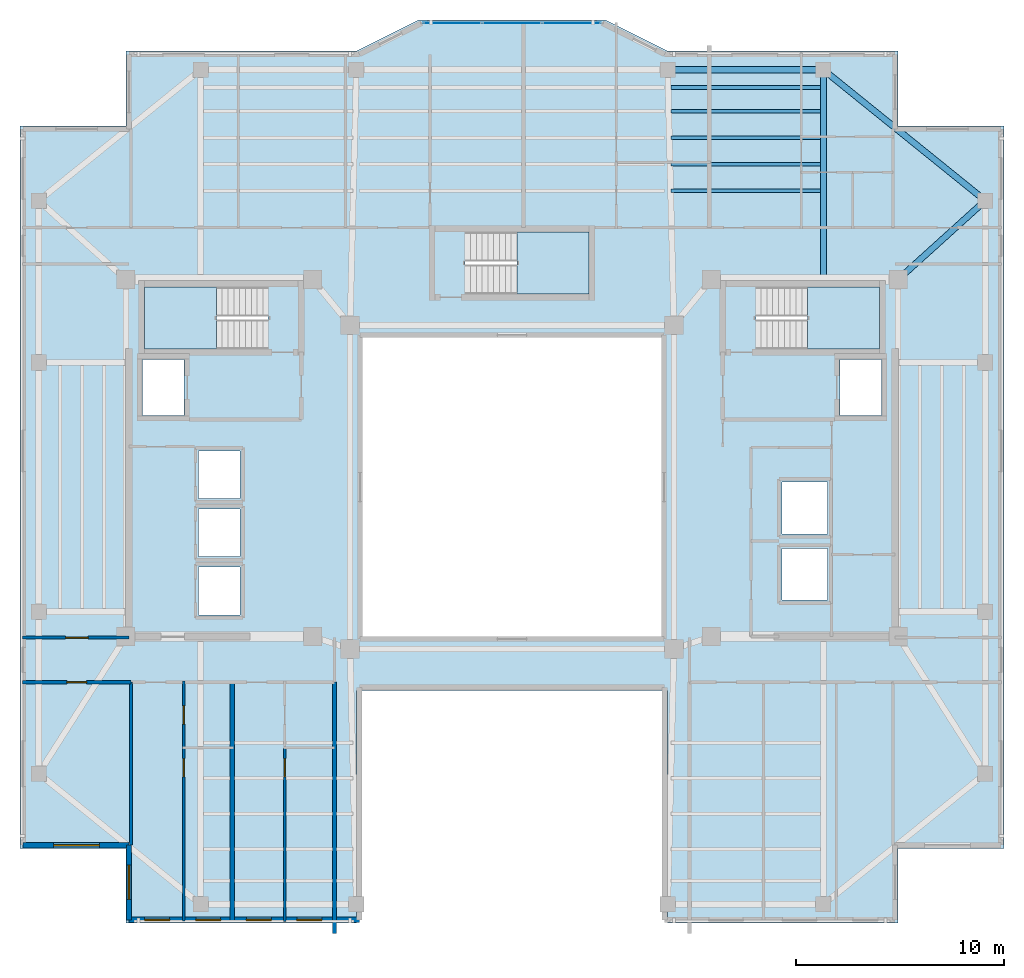
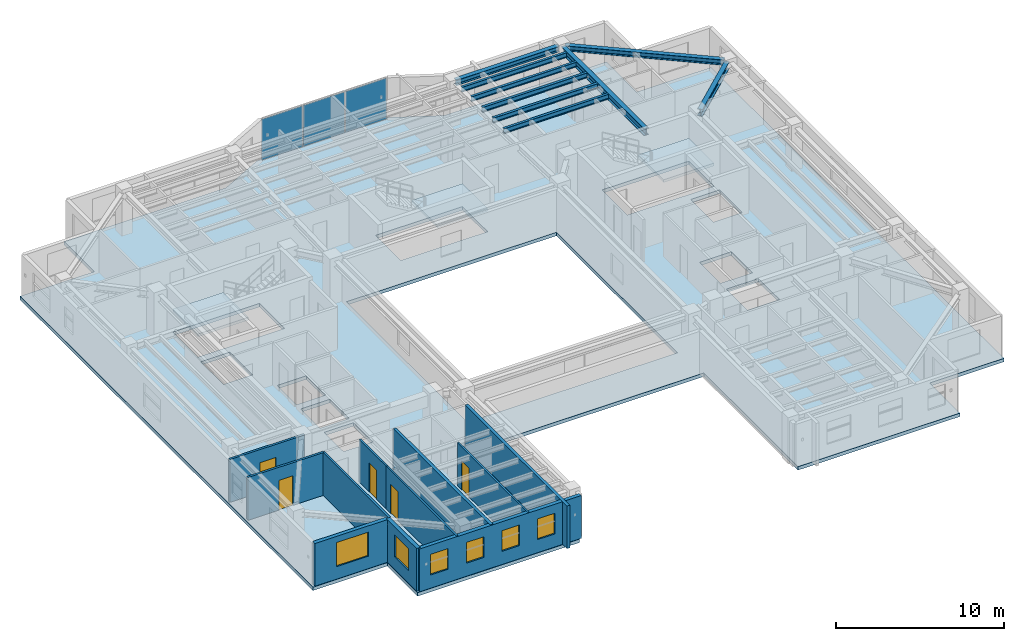
# One storey, part 3 of 11: 11 walls, 9 beams, 6 windows, 5 doors, 4 slabs, 3 plates, 11 openings, 4 elements without a shape of their own.
"""IFC4 building model written with IfcOpenShell, lengths in metres."""

from ifc_helpers import new_model, si_unit, direction, frame, frame_2d, origin, origin_2d, place, context, subcontext, project, spatial, polyline, rectangle, i_section, outline, extrude, material, layer, layer_set, material_profile, profile_set, type_object, element, fill, aggregate, save


model = new_model("IFC4")

# Units and contexts
model_context = context("Model", 3, precision=1e-05, world=origin(), true_north=direction((0.0, 1.0)))
body_context = subcontext(model_context, "Body", "Model", "MODEL_VIEW")
ifc_project = project(units=[si_unit("LENGTHUNIT", "METRE"), si_unit("AREAUNIT", "SQUARE_METRE"), si_unit("VOLUMEUNIT", "CUBIC_METRE"), si_unit("PLANEANGLEUNIT", "RADIAN"), si_unit("MASSUNIT", "GRAM", prefix="KILO")], contexts=[model_context])

# Site, building, storey
site_placement = place(None, origin())
site = spatial("IfcSite", under=ifc_project, at=site_placement, CompositionType="ELEMENT")
building_placement = place(site_placement, origin())
building = spatial("IfcBuilding", under=site, at=building_placement, Name="Tarnavaz Court Tower", CompositionType="ELEMENT")
storey_placement = place(building_placement, frame((0.0, 0.0, 217.050048828125)))
storey = spatial("IfcBuildingStorey", under=building, at=storey_placement, Name="L59", CompositionType="ELEMENT", Elevation=217.050048828125)

# Beams
ifc_material_1 = material(Name="Steel S355", Category="steel")
ifc_material_profile_1 = material_profile(ifc_material_1, i_section(OverallWidth=0.300048828125, OverallDepth=0.5, WebThickness=0.014404296875, FlangeThickness=0.028076171875, FilletRadius=0.027099609375, at=origin_2d()), Name="HEB 500")
ifc_profile_set_1 = profile_set([ifc_material_profile_1], Name="Steel S355")
beam_type_1 = type_object("IfcBeamType", Name="BM-G-HEB500", PredefinedType="USERDEFINED", material=ifc_profile_set_1)
beam_1_placement = place(storey_placement, frame((15.0, 10.0400390625, 2.849853515625), z_axis=(0.0, 1.0, 0.0), x_axis=(-1.0, 0.0, 0.0)))
element("IfcBeam", 1, at=beam_1_placement, inside=storey, type_object=beam_type_1, Name="L59 Beam RG-04", ObjectType="GIRDER", PredefinedType="USERDEFINED", context=body_context, shape_type="SweptSolid", body=[
    extrude(i_section(OverallWidth=0.300048828125, OverallDepth=0.5, WebThickness=0.014404296875, FlangeThickness=0.028076171875, FilletRadius=0.027099609375, at=origin_2d()), origin(), (0.0, 0.0, 1.0), 9.83984375),
])
beam_2_placement = place(storey_placement, frame((18.76318359375, 10.147705078125, 2.849853515625), z_axis=(0.741555708494, 0.670891296113, 0.0), x_axis=(-0.670891296113, 0.741555708494, 0.0)))
element("IfcBeam", 2, at=beam_2_placement, inside=storey, type_object=beam_type_1, Name="L59 Beam RG-12", ObjectType="GIRDER", PredefinedType="USERDEFINED", context=body_context, shape_type="SweptSolid", body=[
    extrude(i_section(OverallWidth=0.300048828125, OverallDepth=0.5, WebThickness=0.014404296875, FlangeThickness=0.028076171875, FilletRadius=0.027099609375, at=origin_2d()), origin(), (0.0, 0.0, 1.0), 5.223876953125),
])
ifc_material_profile_2 = material_profile(ifc_material_1, i_section(OverallWidth=0.169921875, OverallDepth=0.360107421875, WebThickness=0.008056640625, FlangeThickness=0.0126953125, FilletRadius=0.01806640625, at=origin_2d()), Name="IPE 360")
ifc_profile_set_2 = profile_set([ifc_material_profile_2], Name="Steel S355")
beam_type_2 = type_object("IfcBeamType", Name="BM-J-IPE360", PredefinedType="JOIST", material=ifc_profile_set_2)
for number, where, z_axis, x_axis, name in (
    (3, (7.64990234375, 14.278076171875, 2.919921875), (1.0, 0.0, 0.0), (0.0, 1.0, 0.0), "L59 Beam JN1-3"),
    (4, (7.64990234375, 15.555908203125, 2.919921875), (1.0, 0.0, 0.0), (0.0, 1.0, 0.0), "L59 Beam JN2-3"),
    (5, (7.64990234375, 16.833984375, 2.919921875), (1.0, 0.0, 0.0), (0.0, 1.0, 0.0), "L59 Beam JN3-3"),
    (6, (7.64990234375, 18.112060546875, 2.919921875), (1.0, 0.0, 0.0), (0.0, 1.0, 0.0), "L59 Beam JN4-3"),
    (7, (7.64990234375, 19.248046875, 2.919921875), (1.0, 0.0, 0.0), (0.0, 1.0, 0.0), "L59 Beam JN5-3"),
):
    element("IfcBeam", number, at=place(storey_placement, frame(where, z_axis=z_axis, x_axis=x_axis)), inside=storey, type_object=beam_type_2, Name=name, PredefinedType="JOIST", context=body_context, shape_type="SweptSolid", body=[
        extrude(i_section(OverallWidth=0.169921875, OverallDepth=0.360107421875, WebThickness=0.008056640625, FlangeThickness=0.0126953125, FilletRadius=0.01806640625, at=origin_2d()), origin(), (0.0, 0.0, 1.0), 7.2001953125),
    ])
ifc_material_profile_3 = material_profile(ifc_material_1, i_section(OverallWidth=0.300048828125, OverallDepth=0.389892578125, WebThickness=0.010986328125, FlangeThickness=0.01904296875, FilletRadius=0.027099609375, at=origin_2d()), Name="HEA 400")
ifc_profile_set_3 = profile_set([ifc_material_profile_3], Name="Steel S355")
beam_type_3 = type_object("IfcBeamType", Name="BM-SP-HEA400", PredefinedType="BEAM", material=ifc_profile_set_3)
beam_3_placement = place(storey_placement, frame((7.719970703125, 20.10009765625, 2.905029296875), z_axis=(1.0, 0.0, 0.0), x_axis=(0.0, 1.0, 0.0)))
element("IfcBeam", 8, at=beam_3_placement, inside=storey, type_object=beam_type_3, Name="L59 Beam PR-PN-3-PN-4", PredefinedType="BEAM", context=body_context, shape_type="SweptSolid", body=[
    extrude(i_section(OverallWidth=0.300048828125, OverallDepth=0.389892578125, WebThickness=0.010986328125, FlangeThickness=0.01904296875, FilletRadius=0.027099609375, at=origin_2d()), origin(), (0.0, 0.0, 1.0), 7.06005859375),
])
beam_4_placement = place(storey_placement, frame((15.171142578125, 19.9619140625, 2.905029296875), z_axis=(0.777935913531, -0.628343627674, 0.0), x_axis=(0.628343627674, 0.777935913531, 0.0)))
element("IfcBeam", 9, at=beam_4_placement, inside=storey, type_object=beam_type_3, Name="L59 Beam PR-PN-4-PE-4", PredefinedType="BEAM", context=body_context, shape_type="SweptSolid", body=[
    extrude(i_section(OverallWidth=0.300048828125, OverallDepth=0.389892578125, WebThickness=0.010986328125, FlangeThickness=0.01904296875, FilletRadius=0.027099609375, at=origin_2d()), origin(), (0.0, 0.0, 1.0), 9.586669921875),
])

# Curtain wall, plates
ifc_material_2 = material(Name="Anodised Aluminium 6063-T6 and Solar Low-E Glazing", Category="aluminium")
ifc_layer_1 = layer(ifc_material_2, 0.159912109375)
ifc_layer_set_1 = layer_set([ifc_layer_1], Name="Anodised Aluminium 6063-T6 and Solar Low-E Glazing")
curtain_wall_type = type_object("IfcCurtainWallType", Name="CW-SYS-03", PredefinedType="NOTDEFINED", material=ifc_layer_set_1)
curtain_wall_placement = place(storey_placement, origin())
curtain_wall = element("IfcCurtainWall", 10, at=curtain_wall_placement, inside=storey, type_object=curtain_wall_type, Name="L59 Iwan Prow Curtain Wall 7", PredefinedType="NOTDEFINED")
ifc_material_3 = material(Name="Double-Glazed Solar Low-E Glass", Category="glass")
ifc_layer_2 = layer(ifc_material_3, 0.028076171875)
ifc_layer_set_2 = layer_set([ifc_layer_2], Name="Double-Glazed Solar Low-E Glass")
plate_type = type_object("IfcPlateType", Name="CW-PAN-GLZ28", PredefinedType="CURTAIN_PANEL", material=ifc_layer_set_2)
plate_1_placement = place(storey_placement, frame((-2.88134765625, 22.35009765625, 0.06494140625), z_axis=(0.0, 0.0, 1.0), x_axis=(1.0, 0.0, 0.0)))
plate_1 = element("IfcPlate", 11, at=plate_1_placement, type_object=plate_type, Name="CW panel 1.1", PredefinedType="CURTAIN_PANEL", context=body_context, shape_type="SweptSolid", body=[
    extrude(rectangle(XDim=2.78759765625, YDim=0.028076171875, at=origin_2d()), origin(), (0.0, 0.0, 1.0), 2.969970703125),
])
plate_2_placement = place(storey_placement, frame((0.0, 22.35009765625, 0.06494140625), z_axis=(0.0, 0.0, 1.0), x_axis=(1.0, 0.0, 0.0)))
plate_2 = element("IfcPlate", 12, at=plate_2_placement, type_object=plate_type, Name="CW panel 2.1", PredefinedType="CURTAIN_PANEL", context=body_context, shape_type="SweptSolid", body=[
    extrude(rectangle(XDim=2.824951171875, YDim=0.028076171875, at=origin_2d()), origin(), (0.0, 0.0, 1.0), 2.969970703125),
])
plate_3_placement = place(storey_placement, frame((2.88134765625, 22.35009765625, 0.06494140625), z_axis=(0.0, 0.0, 1.0), x_axis=(1.0, 0.0, 0.0)))
plate_3 = element("IfcPlate", 13, at=plate_3_placement, type_object=plate_type, Name="CW panel 3.1", PredefinedType="CURTAIN_PANEL", context=body_context, shape_type="SweptSolid", body=[
    extrude(rectangle(XDim=2.78759765625, YDim=0.028076171875, at=origin_2d()), origin(), (0.0, 0.0, 1.0), 2.969970703125),
])
aggregate(curtain_wall, [plate_1, plate_2, plate_3])

# Stair, slab
ifc_material_4 = material(Name="Concrete C40/50", Category="concrete")
stair_type = type_object("IfcStairType", Name="ST-TWR-20R", PredefinedType="HALF_TURN_STAIR", material=ifc_material_4)
stair_1_placement = place(storey_placement, origin())
stair_1 = element("IfcStair", 14, at=stair_1_placement, inside=storey, type_object=stair_type, Name="L59 West Core Pressurized Exit Stair ST-W1", PredefinedType="HALF_TURN_STAIR")
ifc_layer_3 = layer(ifc_material_4, 0.199951171875)
ifc_layer_set_3 = layer_set([ifc_layer_3], Name="Concrete C40/50")
slab_type_1 = type_object("IfcSlabType", Name="SL-LAND-200", PredefinedType="LANDING", material=ifc_layer_set_3)
slab_1_placement = place(storey_placement, frame((0.0, 0.0, 1.474853515625)))
slab_1 = element("IfcSlab", 15, at=slab_1_placement, type_object=slab_type_1, Name="ST-W1 landing 1", PredefinedType="LANDING", context=body_context, shape_type="SweptSolid", body=[
    extrude(outline(polyline([(-14.239990234375, 9.639892578125), (-17.699951171875, 9.639892578125), (-17.699951171875, 6.64990234375), (-14.239990234375, 6.64990234375), (-14.239990234375, 9.639892578125)])), origin(), (0.0, 0.0, 1.0), 0.2001953125),
])
aggregate(stair_1, [slab_1])

stair_2_placement = place(storey_placement, origin())
stair_2 = element("IfcStair", 16, at=stair_2_placement, inside=storey, type_object=stair_type, Name="L59 East Core Pressurized Exit Stair ST-E1", PredefinedType="HALF_TURN_STAIR")
slab_2_placement = place(storey_placement, frame((0.0, 0.0, 1.474853515625)))
slab_2 = element("IfcSlab", 17, at=slab_2_placement, type_object=slab_type_1, Name="ST-E1 landing 1", PredefinedType="LANDING", context=body_context, shape_type="SweptSolid", body=[
    extrude(outline(polyline([(14.239990234375, 6.64990234375), (17.699951171875, 6.64990234375), (17.699951171875, 9.639892578125), (14.239990234375, 9.639892578125), (14.239990234375, 6.64990234375)])), origin(), (0.0, 0.0, 1.0), 0.2001953125),
])
aggregate(stair_2, [slab_2])

stair_3_placement = place(storey_placement, origin())
stair_3 = element("IfcStair", 18, at=stair_3_placement, inside=storey, type_object=stair_type, Name="L59 North Ring Pressurized Exit Stair ST-N1", PredefinedType="HALF_TURN_STAIR")
slab_3_placement = place(storey_placement, frame((0.0, 0.0, 1.474853515625)))
slab_3 = element("IfcSlab", 19, at=slab_3_placement, type_object=slab_type_1, Name="ST-N1 landing 1", PredefinedType="LANDING", context=body_context, shape_type="SweptSolid", body=[
    extrude(outline(polyline([(0.239990234375, 9.300048828125), (3.699951171875, 9.300048828125), (3.699951171875, 12.2900390625), (0.239990234375, 12.2900390625), (0.239990234375, 9.300048828125)])), origin(), (0.0, 0.0, 1.0), 0.2001953125),
])
aggregate(stair_3, [slab_3])

# Slab
ifc_layer_4 = layer(ifc_material_4, 0.25)
ifc_layer_set_4 = layer_set([ifc_layer_4], Name="Concrete C40/50")
slab_type_2 = type_object("IfcSlabType", Name="SL-RES-250", PredefinedType="FLOOR", material=ifc_layer_set_4)
slab_4_placement = place(storey_placement, frame((0.0, 0.0, -0.25)))
element("IfcSlab", 20, at=slab_4_placement, inside=storey, type_object=slab_type_2, Name="L59 Structural Floor Slab", PredefinedType="FLOOR", context=body_context, shape_type="SweptSolid", body=[
    extrude(outline(polyline([(-18.60009765625, -21.0), (-7.5, -21.0), (-7.5, -9.800048828125), (7.5, -9.800048828125), (7.5, -21.0), (18.60009765625, -21.0), (18.60009765625, -17.39990234375), (23.699951171875, -17.39990234375), (23.699951171875, 17.39990234375), (18.60009765625, 17.39990234375), (18.60009765625, 21.0), (7.5, 21.0), (4.5, 22.5), (-4.5, 22.5), (-7.5, 21.0), (-18.60009765625, 21.0), (-18.60009765625, 17.39990234375), (-23.699951171875, 17.39990234375), (-23.699951171875, -17.39990234375), (-18.60009765625, -17.39990234375), (-18.60009765625, -21.0)]), holes=[polyline([(-7.199951171875, -7.199951171875), (7.199951171875, -7.199951171875), (7.199951171875, 7.199951171875), (-7.199951171875, 7.199951171875), (-7.199951171875, -7.199951171875)]), polyline([(-11.7451171875, 9.639892578125), (-17.699951171875, 9.639892578125), (-17.699951171875, 6.64990234375), (-11.7451171875, 6.64990234375), (-11.7451171875, 9.639892578125)]), polyline([(11.7451171875, 6.64990234375), (17.699951171875, 6.64990234375), (17.699951171875, 9.639892578125), (11.7451171875, 9.639892578125), (11.7451171875, 6.64990234375)]), polyline([(-2.2548828125, 9.300048828125), (3.699951171875, 9.300048828125), (3.699951171875, 12.2900390625), (-2.2548828125, 12.2900390625), (-2.2548828125, 9.300048828125)]), polyline([(-17.800048828125, 3.449951171875), (-15.800048828125, 3.449951171875), (-15.800048828125, 6.14990234375), (-17.800048828125, 6.14990234375), (-17.800048828125, 3.449951171875)]), polyline([(-15.10009765625, -6.14990234375), (-13.10009765625, -6.14990234375), (-13.10009765625, -3.85009765625), (-15.10009765625, -3.85009765625), (-15.10009765625, -6.14990234375)]), polyline([(-15.10009765625, -3.35009765625), (-13.10009765625, -3.35009765625), (-13.10009765625, -1.050048828125), (-15.10009765625, -1.050048828125), (-15.10009765625, -3.35009765625)]), polyline([(-15.10009765625, -0.550048828125), (-13.10009765625, -0.550048828125), (-13.10009765625, 1.75), (-15.10009765625, 1.75), (-15.10009765625, -0.550048828125)]), polyline([(15.800048828125, 3.449951171875), (17.800048828125, 3.449951171875), (17.800048828125, 6.14990234375), (15.800048828125, 6.14990234375), (15.800048828125, 3.449951171875)]), polyline([(13.0, -5.449951171875), (15.199951171875, -5.449951171875), (15.199951171875, -2.949951171875), (13.0, -2.949951171875), (13.0, -5.449951171875)]), polyline([(13.0, -2.25), (15.199951171875, -2.25), (15.199951171875, 0.25), (13.0, 0.25), (13.0, -2.25)])]), origin(), (0.0, 0.0, 1.0), 0.25),
])

# Wall, opening, window
ifc_material_5 = material(Name="Precast Concrete C40/50", Category="concrete")
ifc_layer_5 = layer(ifc_material_5, 0.260009765625)
ifc_layer_set_5 = layer_set([ifc_layer_5], Name="Precast Concrete C40/50")
wall_type_1 = type_object("IfcWallType", Name="WL-EXT-260", PredefinedType="SOLIDWALL", material=ifc_layer_set_5)
wall_1_placement = place(storey_placement, frame((-18.449951171875, -17.25, 0.0), z_axis=(0.0, 0.0, 1.0), x_axis=(-1.0, 0.0, 0.0)))
wall_1 = element("IfcWall", 21, at=wall_1_placement, inside=storey, type_object=wall_type_1, Name="L59 Exterior Terracotta Facade Wall 01", PredefinedType="SOLIDWALL", context=body_context, shape_type="SweptSolid", body=[
    extrude(rectangle(XDim=5.10009765625, YDim=0.260009765625, at=frame_2d((2.550048828125, 0.0))), origin(), (0.0, 0.0, 1.0), 3.099853515625),
])
opening_1_placement = place(wall_1_placement, frame((1.425048828125, 0.0, 0.89990234375)))
opening_1 = element("IfcOpeningElement", 22, at=opening_1_placement, cuts=wall_1, Name="Opening W07", PredefinedType="OPENING", context=body_context, shape_type="SweptSolid", body=[
    extrude(rectangle(XDim=2.199951171875, YDim=1.75, at=frame_2d((1.10009765625, 0.875))), frame((0.0, 0.139892578125, 0.0), z_axis=(0.0, -1.0, 0.0), x_axis=(1.0, 0.0, 0.0)), (0.0, 0.0, 1.0), 0.280029296875),
])
window_type_1 = type_object("IfcWindowType", Name="WN-APT-2200", PartitioningType="TRIPLE_PANEL_VERTICAL", PredefinedType="WINDOW", material=ifc_material_3)
window_1_placement = place(opening_1_placement, origin())
window_1 = element("IfcWindow", 23, at=window_1_placement, inside=storey, type_object=window_type_1, Name="L59 South-West Corner Reading Room Window", OverallHeight=1.75, OverallWidth=2.199951171875, PartitioningType="SINGLE_PANEL", PredefinedType="WINDOW", context=body_context, shape_type="SweptSolid", body=[
    extrude(rectangle(XDim=2.199951171875, YDim=1.75, at=frame_2d((1.10009765625, 0.875))), frame((0.0, 0.030029296875, 0.0), z_axis=(0.0, -1.0, 0.0), x_axis=(1.0, 0.0, 0.0)), (0.0, 0.0, 1.0), 0.06005859375),
])
fill(opening_1, window_1)

# Wall, openings, windows
wall_2_placement = place(storey_placement, frame((-7.35009765625, -20.85009765625, 0.0), z_axis=(0.0, 0.0, 1.0), x_axis=(-1.0, 0.0, 0.0)))
wall_2 = element("IfcWall", 24, at=wall_2_placement, inside=storey, type_object=wall_type_1, Name="L59 Exterior Terracotta Facade Wall 19", PredefinedType="SOLIDWALL", context=body_context, shape_type="SweptSolid", body=[
    extrude(rectangle(XDim=11.099853515625, YDim=0.260009765625, at=frame_2d((5.5498046875, 0.0))), origin(), (0.0, 0.0, 1.0), 3.099853515625),
])
opening_2_placement = place(wall_2_placement, frame((1.810791015625, 0.0, 0.949951171875)))
opening_2 = element("IfcOpeningElement", 25, at=opening_2_placement, cuts=wall_2, Name="Opening W05", PredefinedType="OPENING", context=body_context, shape_type="SweptSolid", body=[
    extrude(rectangle(XDim=1.199951171875, YDim=1.5, at=frame_2d((0.60009765625, 0.75))), frame((0.0, 0.139892578125, 0.0), z_axis=(0.0, -1.0, 0.0), x_axis=(1.0, 0.0, 0.0)), (0.0, 0.0, 1.0), 0.280029296875),
])
opening_3_placement = place(wall_2_placement, frame((4.246826171875, 0.0, 0.949951171875)))
opening_3 = element("IfcOpeningElement", 26, at=opening_3_placement, cuts=wall_2, Name="Opening W05", PredefinedType="OPENING", context=body_context, shape_type="SweptSolid", body=[
    extrude(rectangle(XDim=1.199951171875, YDim=1.5, at=frame_2d((0.60009765625, 0.75))), frame((0.0, 0.139892578125, 0.0), z_axis=(0.0, -1.0, 0.0), x_axis=(1.0, 0.0, 0.0)), (0.0, 0.0, 1.0), 0.280029296875),
])
opening_4_placement = place(wall_2_placement, frame((6.682861328125, 0.0, 0.949951171875)))
opening_4 = element("IfcOpeningElement", 27, at=opening_4_placement, cuts=wall_2, Name="Opening W05", PredefinedType="OPENING", context=body_context, shape_type="SweptSolid", body=[
    extrude(rectangle(XDim=1.199951171875, YDim=1.5, at=frame_2d((0.60009765625, 0.75))), frame((0.0, 0.139892578125, 0.0), z_axis=(0.0, -1.0, 0.0), x_axis=(1.0, 0.0, 0.0)), (0.0, 0.0, 1.0), 0.280029296875),
])
opening_5_placement = place(wall_2_placement, frame((9.143798828125, 0.0, 0.949951171875)))
opening_5 = element("IfcOpeningElement", 28, at=opening_5_placement, cuts=wall_2, Name="Opening W05", PredefinedType="OPENING", context=body_context, shape_type="SweptSolid", body=[
    extrude(rectangle(XDim=1.199951171875, YDim=1.5, at=frame_2d((0.60009765625, 0.75))), frame((0.0, 0.139892578125, 0.0), z_axis=(0.0, -1.0, 0.0), x_axis=(1.0, 0.0, 0.0)), (0.0, 0.0, 1.0), 0.280029296875),
])
window_type_2 = type_object("IfcWindowType", Name="WN-APT-1200", PartitioningType="SINGLE_PANEL", PredefinedType="WINDOW", material=ifc_material_3)
window_2_placement = place(opening_2_placement, origin())
window_2 = element("IfcWindow", 29, at=window_2_placement, inside=storey, type_object=window_type_2, Name="L59 Flat 04 Kitchen Window", OverallHeight=1.5, OverallWidth=1.199951171875, PartitioningType="SINGLE_PANEL", PredefinedType="WINDOW", context=body_context, shape_type="SweptSolid", body=[
    extrude(rectangle(XDim=1.199951171875, YDim=1.5, at=frame_2d((0.60009765625, 0.75))), frame((0.0, 0.030029296875, 0.0), z_axis=(0.0, -1.0, 0.0), x_axis=(1.0, 0.0, 0.0)), (0.0, 0.0, 1.0), 0.06005859375),
])
fill(opening_2, window_2)
window_3_placement = place(opening_3_placement, origin())
window_3 = element("IfcWindow", 30, at=window_3_placement, inside=storey, type_object=window_type_2, Name="L59 Flat 04 Studio Living and Sleeping Room Window", OverallHeight=1.5, OverallWidth=1.199951171875, PartitioningType="SINGLE_PANEL", PredefinedType="WINDOW", context=body_context, shape_type="SweptSolid", body=[
    extrude(rectangle(XDim=1.199951171875, YDim=1.5, at=frame_2d((0.60009765625, 0.75))), frame((0.0, 0.030029296875, 0.0), z_axis=(0.0, -1.0, 0.0), x_axis=(1.0, 0.0, 0.0)), (0.0, 0.0, 1.0), 0.06005859375),
])
fill(opening_3, window_3)
window_4_placement = place(opening_4_placement, origin())
window_4 = element("IfcWindow", 31, at=window_4_placement, inside=storey, type_object=window_type_2, Name="L59 Flat 03 Kitchen Window", OverallHeight=1.5, OverallWidth=1.199951171875, PartitioningType="SINGLE_PANEL", PredefinedType="WINDOW", context=body_context, shape_type="SweptSolid", body=[
    extrude(rectangle(XDim=1.199951171875, YDim=1.5, at=frame_2d((0.60009765625, 0.75))), frame((0.0, 0.030029296875, 0.0), z_axis=(0.0, -1.0, 0.0), x_axis=(1.0, 0.0, 0.0)), (0.0, 0.0, 1.0), 0.06005859375),
])
fill(opening_4, window_4)
window_5_placement = place(opening_5_placement, origin())
window_5 = element("IfcWindow", 32, at=window_5_placement, inside=storey, type_object=window_type_2, Name="L59 Flat 03 Studio Living and Sleeping Room Window", OverallHeight=1.5, OverallWidth=1.199951171875, PartitioningType="SINGLE_PANEL", PredefinedType="WINDOW", context=body_context, shape_type="SweptSolid", body=[
    extrude(rectangle(XDim=1.199951171875, YDim=1.5, at=frame_2d((0.60009765625, 0.75))), frame((0.0, 0.030029296875, 0.0), z_axis=(0.0, -1.0, 0.0), x_axis=(1.0, 0.0, 0.0)), (0.0, 0.0, 1.0), 0.06005859375),
])
fill(opening_5, window_5)

# Wall, opening, window
wall_3_placement = place(storey_placement, frame((-18.449951171875, -20.85009765625, 0.0), z_axis=(0.0, 0.0, 1.0), x_axis=(0.0, 1.0, 0.0)))
wall_3 = element("IfcWall", 33, at=wall_3_placement, inside=storey, type_object=wall_type_1, Name="L59 Exterior Terracotta Facade Wall 20", PredefinedType="SOLIDWALL", context=body_context, shape_type="SweptSolid", body=[
    extrude(rectangle(XDim=3.60009765625, YDim=0.260009765625, at=frame_2d((1.800048828125, 0.0))), origin(), (0.0, 0.0, 1.0), 3.099853515625),
])
opening_6_placement = place(wall_3_placement, frame((0.992431640625, 0.0, 0.89990234375)))
opening_6 = element("IfcOpeningElement", 34, at=opening_6_placement, cuts=wall_3, Name="Opening W02", PredefinedType="OPENING", context=body_context, shape_type="SweptSolid", body=[
    extrude(rectangle(XDim=1.64990234375, YDim=1.60009765625, at=frame_2d((0.824951171875, 0.800048828125))), frame((0.0, 0.139892578125, 0.0), z_axis=(0.0, -1.0, 0.0), x_axis=(1.0, 0.0, 0.0)), (0.0, 0.0, 1.0), 0.280029296875),
])
window_type_3 = type_object("IfcWindowType", Name="WN-APT-1650", PartitioningType="DOUBLE_PANEL_VERTICAL", PredefinedType="WINDOW", material=ifc_material_3)
window_6_placement = place(opening_6_placement, origin())
window_6 = element("IfcWindow", 35, at=window_6_placement, inside=storey, type_object=window_type_3, Name="L59 Flat 03 Studio Living and Sleeping Room Window", OverallHeight=1.60009765625, OverallWidth=1.64990234375, PartitioningType="SINGLE_PANEL", PredefinedType="WINDOW", context=body_context, shape_type="SweptSolid", body=[
    extrude(rectangle(XDim=1.64990234375, YDim=1.60009765625, at=frame_2d((0.824951171875, 0.800048828125))), frame((0.0, 0.030029296875, 0.0), z_axis=(0.0, -1.0, 0.0), x_axis=(1.0, 0.0, 0.0)), (0.0, 0.0, 1.0), 0.06005859375),
])
fill(opening_6, window_6)

# Wall, opening, door
ifc_material_6 = material(Name="Gypsum Fire-Board on Acoustic Metal Stud", Category="masonry")
ifc_layer_6 = layer(ifc_material_6, 0.14990234375)
ifc_layer_set_6 = layer_set([ifc_layer_6], Name="Gypsum Fire-Board on Acoustic Metal Stud")
wall_type_2 = type_object("IfcWallType", Name="WL-FIRE-150", PredefinedType="PARTITIONING", material=ifc_layer_set_6)
wall_4_placement = place(storey_placement, frame((-23.580078125, -7.25, 0.0), z_axis=(0.0, 0.0, 1.0), x_axis=(1.0, 0.0, 0.0)))
wall_4 = element("IfcWall", 36, at=wall_4_placement, inside=storey, type_object=wall_type_2, Name="L59 Interior Partition 088", PredefinedType="PARTITIONING", context=body_context, shape_type="SweptSolid", body=[
    extrude(rectangle(XDim=5.130126953125, YDim=0.14990234375, at=frame_2d((2.56494140625, 0.0))), origin(), (0.0, 0.0, 1.0), 3.099853515625),
])
opening_7_placement = place(wall_4_placement, frame((2.080078125, 0.0, 0.0)))
opening_7 = element("IfcOpeningElement", 37, at=opening_7_placement, cuts=wall_4, Name="Opening D12", PredefinedType="OPENING", context=body_context, shape_type="SweptSolid", body=[
    extrude(rectangle(XDim=1.080078125, YDim=2.14990234375, at=frame_2d((0.5400390625, 1.074951171875))), frame((0.0, 0.0849609375, 0.0), z_axis=(0.0, -1.0, 0.0), x_axis=(1.0, 0.0, 0.0)), (0.0, 0.0, 1.0), 0.169921875),
])
ifc_material_7 = material(Name="Engineered Oak Timber", Category="wood")
door_type_1 = type_object("IfcDoorType", Name="DR-INT-1100", OperationType="NOTDEFINED", PredefinedType="DOOR", material=ifc_material_7)
door_1_placement = place(opening_7_placement, origin())
door_1 = element("IfcDoor", 38, at=door_1_placement, inside=storey, type_object=door_type_1, Name="L59 West Meeting Lounge Door", OperationType="SINGLE_SWING_LEFT", OverallHeight=2.14990234375, OverallWidth=1.080078125, PredefinedType="DOOR", context=body_context, shape_type="SweptSolid", body=[
    extrude(rectangle(XDim=1.080078125, YDim=2.14990234375, at=frame_2d((0.5400390625, 1.074951171875))), frame((0.0, 0.02490234375, 0.0), z_axis=(0.0, -1.0, 0.0), x_axis=(1.0, 0.0, 0.0)), (0.0, 0.0, 1.0), 0.050048828125),
])
fill(opening_7, door_1)

wall_5_placement = place(storey_placement, frame((-23.580078125, -9.39990234375, 0.0), z_axis=(0.0, 0.0, 1.0), x_axis=(1.0, 0.0, 0.0)))
wall_5 = element("IfcWall", 39, at=wall_5_placement, inside=storey, type_object=wall_type_2, Name="L59 Interior Partition 098", PredefinedType="PARTITIONING", context=body_context, shape_type="SweptSolid", body=[
    extrude(rectangle(XDim=5.22998046875, YDim=0.14990234375, at=frame_2d((2.614990234375, 0.0))), origin(), (0.0, 0.0, 1.0), 3.099853515625),
])
opening_8_placement = place(wall_5_placement, frame((2.139892578125, 0.0, 0.0)))
opening_8 = element("IfcOpeningElement", 40, at=opening_8_placement, cuts=wall_5, Name="Opening D13", PredefinedType="OPENING", context=body_context, shape_type="SweptSolid", body=[
    extrude(rectangle(XDim=0.949951171875, YDim=2.14990234375, at=frame_2d((0.47509765625, 1.074951171875))), frame((0.0, 0.0849609375, 0.0), z_axis=(0.0, -1.0, 0.0), x_axis=(1.0, 0.0, 0.0)), (0.0, 0.0, 1.0), 0.169921875),
])
door_type_2 = type_object("IfcDoorType", Name="DR-INT-950", OperationType="NOTDEFINED", PredefinedType="DOOR", material=ifc_material_7)
door_2_placement = place(opening_8_placement, origin())
door_2 = element("IfcDoor", 41, at=door_2_placement, inside=storey, type_object=door_type_2, Name="L59 SW Reading Room Door", OperationType="SINGLE_SWING_LEFT", OverallHeight=2.14990234375, OverallWidth=0.949951171875, PredefinedType="DOOR", context=body_context, shape_type="SweptSolid", body=[
    extrude(rectangle(XDim=0.949951171875, YDim=2.14990234375, at=frame_2d((0.47509765625, 1.074951171875))), frame((0.0, 0.02490234375, 0.0), z_axis=(0.0, -1.0, 0.0), x_axis=(1.0, 0.0, 0.0)), (0.0, 0.0, 1.0), 0.050048828125),
])
fill(opening_8, door_2)

# Walls
ifc_material_8 = material(Name="Autoclaved Aerated Concrete Blockwork", Category="masonry")
ifc_layer_7 = layer(ifc_material_8, 0.199951171875)
ifc_layer_set_7 = layer_set([ifc_layer_7], Name="Autoclaved Aerated Concrete Blockwork")
wall_type_3 = type_object("IfcWallType", Name="WL-FIRE-200", PredefinedType="SOLIDWALL", material=ifc_layer_set_7)
wall_6_placement = place(storey_placement, frame((-13.47509765625, -20.89990234375, 0.0), z_axis=(0.0, 0.0, 1.0), x_axis=(0.0, 1.0, 0.0)))
element("IfcWall", 42, at=wall_6_placement, inside=storey, type_object=wall_type_3, Name="L59 Party Wall 077", PredefinedType="SOLIDWALL", context=body_context, shape_type="SweptSolid", body=[
    extrude(rectangle(XDim=11.5, YDim=0.199951171875, at=frame_2d((5.75, 0.0))), origin(), (0.0, 0.0, 1.0), 3.099853515625),
])
wall_7_placement = place(storey_placement, frame((-8.550048828125, -21.50390625, 0.0), z_axis=(0.0, 0.0, 1.0), x_axis=(0.0, 1.0, 0.0)))
element("IfcWall", 43, at=wall_7_placement, inside=storey, type_object=wall_type_3, Name="L59 Party Wall 086", PredefinedType="SOLIDWALL", context=body_context, shape_type="SweptSolid", body=[
    extrude(rectangle(XDim=12.10400390625, YDim=0.199951171875, at=frame_2d((6.052001953125, 0.0))), origin(), (0.0, 0.0, 1.0), 3.099853515625),
])

# Wall, opening, door
ifc_material_9 = material(Name="Moisture-Resistant Gypsum Board Partition", Category="masonry")
ifc_layer_8 = layer(ifc_material_9, 0.1201171875)
ifc_layer_set_8 = layer_set([ifc_layer_8], Name="Moisture-Resistant Gypsum Board Partition")
wall_type_4 = type_object("IfcWallType", Name="WL-PART-120", PredefinedType="PARTITIONING", material=ifc_layer_set_8)
wall_8_placement = place(storey_placement, frame((-15.81689453125, -20.89990234375, 0.0), z_axis=(0.0, 0.0, 1.0), x_axis=(0.0, 1.0, 0.0)))
wall_8 = element("IfcWall", 44, at=wall_8_placement, inside=storey, type_object=wall_type_4, Name="L59 Interior Partition 078", PredefinedType="PARTITIONING", context=body_context, shape_type="SweptSolid", body=[
    extrude(rectangle(XDim=8.33984375, YDim=0.1201171875, at=frame_2d((4.169921875, 0.0))), origin(), (0.0, 0.0, 1.0), 3.099853515625),
])
opening_9_placement = place(wall_8_placement, frame((6.93994140625, 0.0, 0.0)))
opening_9 = element("IfcOpeningElement", 45, at=opening_9_placement, cuts=wall_8, Name="Opening D14", PredefinedType="OPENING", context=body_context, shape_type="SweptSolid", body=[
    extrude(rectangle(XDim=0.8798828125, YDim=2.10009765625, at=frame_2d((0.43994140625, 1.050048828125))), frame((0.0, 0.070068359375, 0.0), z_axis=(0.0, -1.0, 0.0), x_axis=(1.0, 0.0, 0.0)), (0.0, 0.0, 1.0), 0.14013671875),
])
door_type_3 = type_object("IfcDoorType", Name="DR-INT-900", OperationType="NOTDEFINED", PredefinedType="DOOR", material=ifc_material_7)
door_3_placement = place(opening_9_placement, origin())
door_3 = element("IfcDoor", 46, at=door_3_placement, inside=storey, type_object=door_type_3, Name="L59 Flat 03 Kitchen Door", OperationType="SINGLE_SWING_LEFT", OverallHeight=2.10009765625, OverallWidth=0.8798828125, PredefinedType="DOOR", context=body_context, shape_type="SweptSolid", body=[
    extrude(rectangle(XDim=0.8798828125, YDim=2.10009765625, at=frame_2d((0.43994140625, 1.050048828125))), frame((0.0, 0.02490234375, 0.0), z_axis=(0.0, -1.0, 0.0), x_axis=(1.0, 0.0, 0.0)), (0.0, 0.0, 1.0), 0.050048828125),
])
fill(opening_9, door_3)

wall_9_placement = place(storey_placement, frame((-15.81689453125, -12.56005859375, 0.0), z_axis=(0.0, 0.0, 1.0), x_axis=(0.0, 1.0, 0.0)))
wall_9 = element("IfcWall", 47, at=wall_9_placement, inside=storey, type_object=wall_type_4, Name="L59 Interior Partition 079", PredefinedType="PARTITIONING", context=body_context, shape_type="SweptSolid", body=[
    extrude(rectangle(XDim=3.219970703125, YDim=0.1201171875, at=frame_2d((1.60986328125, 0.0))), origin(), (0.0, 0.0, 1.0), 3.099853515625),
])
opening_10_placement = place(wall_9_placement, frame((1.139892578125, 0.0, 0.0)))
opening_10 = element("IfcOpeningElement", 48, at=opening_10_placement, cuts=wall_9, Name="Opening D14", PredefinedType="OPENING", context=body_context, shape_type="SweptSolid", body=[
    extrude(rectangle(XDim=0.8798828125, YDim=2.10009765625, at=frame_2d((0.43994140625, 1.050048828125))), frame((0.0, 0.070068359375, 0.0), z_axis=(0.0, -1.0, 0.0), x_axis=(1.0, 0.0, 0.0)), (0.0, 0.0, 1.0), 0.14013671875),
])
door_4_placement = place(opening_10_placement, origin())
door_4 = element("IfcDoor", 49, at=door_4_placement, inside=storey, type_object=door_type_3, Name="L59 Flat 03 Bathroom Door", OperationType="SINGLE_SWING_RIGHT", OverallHeight=2.10009765625, OverallWidth=0.8798828125, PredefinedType="DOOR", context=body_context, shape_type="SweptSolid", body=[
    extrude(rectangle(XDim=0.8798828125, YDim=2.10009765625, at=frame_2d((0.43994140625, 1.050048828125))), frame((0.0, 0.02490234375, 0.0), z_axis=(0.0, -1.0, 0.0), x_axis=(1.0, 0.0, 0.0)), (0.0, 0.0, 1.0), 0.050048828125),
])
fill(opening_10, door_4)

wall_10_placement = place(storey_placement, frame((-10.94189453125, -20.9140625, 0.0), z_axis=(0.0, 0.0, 1.0), x_axis=(0.0, 1.0, 0.0)))
wall_10 = element("IfcWall", 50, at=wall_10_placement, inside=storey, type_object=wall_type_4, Name="L59 Interior Partition 081", PredefinedType="PARTITIONING", context=body_context, shape_type="SweptSolid", body=[
    extrude(rectangle(XDim=8.35400390625, YDim=0.1201171875, at=frame_2d((4.177001953125, 0.0))), origin(), (0.0, 0.0, 1.0), 3.099853515625),
])
opening_11_placement = place(wall_10_placement, frame((6.9541015625, 0.0, 0.0)))
opening_11 = element("IfcOpeningElement", 51, at=opening_11_placement, cuts=wall_10, Name="Opening D14", PredefinedType="OPENING", context=body_context, shape_type="SweptSolid", body=[
    extrude(rectangle(XDim=0.8798828125, YDim=2.10009765625, at=frame_2d((0.43994140625, 1.050048828125))), frame((0.0, 0.070068359375, 0.0), z_axis=(0.0, -1.0, 0.0), x_axis=(1.0, 0.0, 0.0)), (0.0, 0.0, 1.0), 0.14013671875),
])
door_5_placement = place(opening_11_placement, origin())
door_5 = element("IfcDoor", 52, at=door_5_placement, inside=storey, type_object=door_type_3, Name="L59 Flat 04 Kitchen Door", OperationType="SINGLE_SWING_RIGHT", OverallHeight=2.10009765625, OverallWidth=0.8798828125, PredefinedType="DOOR", context=body_context, shape_type="SweptSolid", body=[
    extrude(rectangle(XDim=0.8798828125, YDim=2.10009765625, at=frame_2d((0.43994140625, 1.050048828125))), frame((0.0, 0.02490234375, 0.0), z_axis=(0.0, -1.0, 0.0), x_axis=(1.0, 0.0, 0.0)), (0.0, 0.0, 1.0), 0.050048828125),
])
fill(opening_11, door_5)

# Wall
ifc_material_10 = material(Name="Gypsum Plasterboard Acoustic Partition", Category="masonry")
ifc_layer_9 = layer(ifc_material_10, 0.139892578125)
ifc_layer_set_9 = layer_set([ifc_layer_9], Name="Gypsum Plasterboard Acoustic Partition")
wall_type_5 = type_object("IfcWallType", Name="WL-PART-150", PredefinedType="PARTITIONING", material=ifc_layer_set_9)
wall_11_placement = place(storey_placement, frame((-18.35009765625, -17.25, 0.0), z_axis=(0.0, 0.0, 1.0), x_axis=(0.0, 1.0, 0.0)))
element("IfcWall", 53, at=wall_11_placement, inside=storey, type_object=wall_type_5, Name="L59 Interior Partition 092", PredefinedType="PARTITIONING", context=body_context, shape_type="SweptSolid", body=[
    extrude(rectangle(XDim=7.85009765625, YDim=0.139892578125, at=frame_2d((3.925048828125, 0.0))), origin(), (0.0, 0.0, 1.0), 3.099853515625),
])

save(model, "model.ifc")
